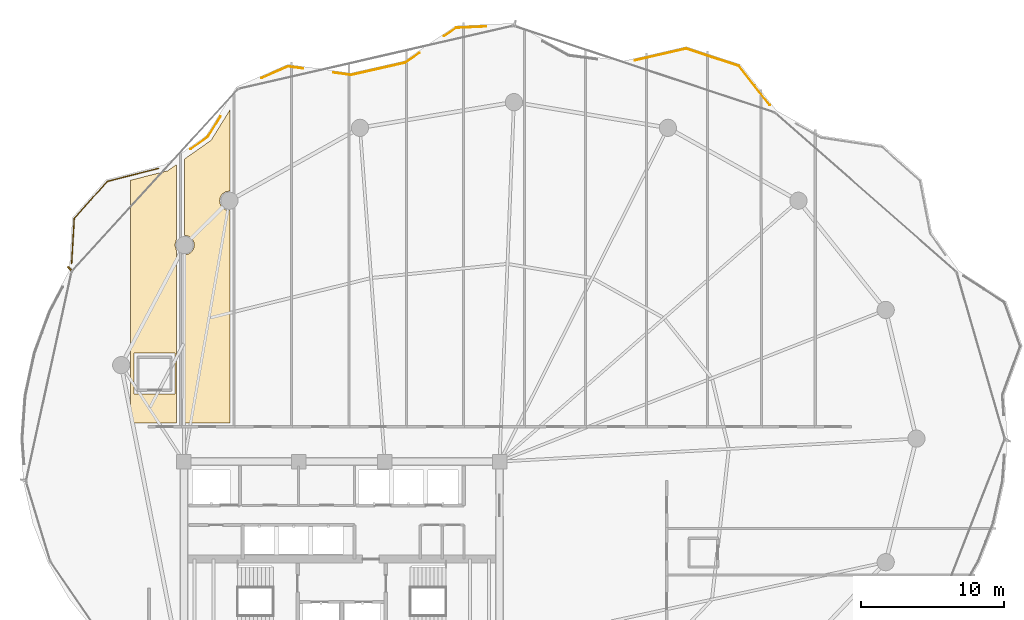
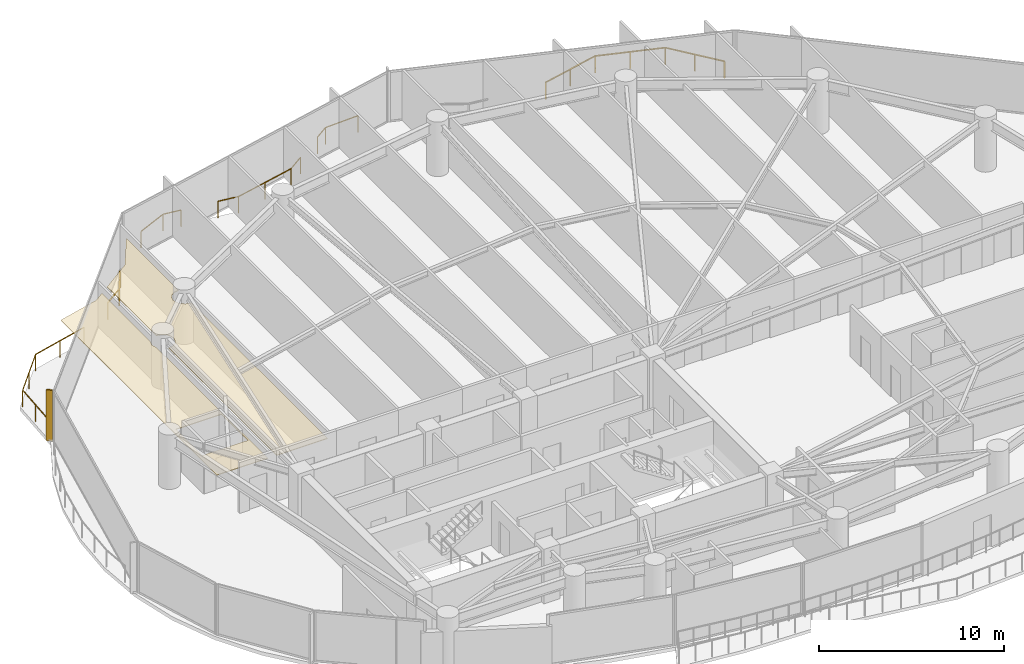
# One storey, part 33 of 34: 6 railings, 2 coverings, 1 shading device.
"""IFC4 building model written with IfcOpenShell, lengths in metres."""

from ifc_helpers import new_model, si_unit, direction, frame, origin, origin_2d, place, context, subcontext, project, spatial, polyline, rectangle, outline, extrude, material, layer, layer_set, type_object, element, save


model = new_model("IFC4")

# Units and contexts
model_context = context("Model", 3, precision=1e-05, world=origin(), true_north=direction((0.0, 1.0)))
body_context = subcontext(model_context, "Body", "Model", "MODEL_VIEW")
ifc_project = project(units=[si_unit("LENGTHUNIT", "METRE"), si_unit("AREAUNIT", "SQUARE_METRE"), si_unit("VOLUMEUNIT", "CUBIC_METRE"), si_unit("PLANEANGLEUNIT", "RADIAN"), si_unit("MASSUNIT", "GRAM", prefix="KILO")], contexts=[model_context])

# Site, building, storey
site_placement = place(None, origin())
site = spatial("IfcSite", under=ifc_project, at=site_placement, CompositionType="ELEMENT")
building_placement = place(site_placement, origin())
building = spatial("IfcBuilding", under=site, at=building_placement, Name="Kazevale Care Tower and Concert Hall", CompositionType="ELEMENT")
storey_placement = place(building_placement, frame((0.0, 0.0, 163.800048828125)))
storey = spatial("IfcBuildingStorey", under=building, at=storey_placement, Name="L43", CompositionType="ELEMENT", Elevation=163.800048828125)

# Coverings
ifc_material_1 = material(Name="Acoustic Plaster and Hinoki Wood", Category="wood")
ifc_layer = layer(ifc_material_1, 0.0400390625)
ifc_layer_set = layer_set([ifc_layer], Name="Acoustic Plaster and Hinoki Wood")
covering_type = type_object("IfcCoveringType", Name="Acoustic Perforated Wood-Gypsum Ceiling", PredefinedType="CEILING", material=ifc_layer_set)
covering_1_placement = place(storey_placement, frame((0.0, 0.0, 2.7099609375)))
element("IfcCovering", 1, at=covering_1_placement, inside=storey, type_object=covering_type, Name="clg:L43:1", PredefinedType="CEILING", context=body_context, shape_type="SweptSolid", body=[
    extrude(outline(polyline([(21.469970703125, 51.840087890625), (21.3701171875, 51.489990234375), (21.469970703125, 51.139892578125), (21.469970703125, 39.10498046875), (18.280029296875, 39.10498046875), (18.280029296875, 56.008056640625), (20.87109375, 56.6669921875), (21.469970703125, 57.0869140625), (21.469970703125, 51.840087890625)]), holes=[polyline([(18.52001953125, 41.094970703125), (21.3798828125, 41.094970703125), (21.3798828125, 43.955078125), (18.52001953125, 43.955078125), (18.52001953125, 41.094970703125)])]), origin(), (0.0, 0.0, 1.0), 0.0400390625),
])
covering_2_placement = place(storey_placement, frame((0.0, 0.0, 2.7099609375)))
element("IfcCovering", 2, at=covering_2_placement, inside=storey, type_object=covering_type, Name="clg:L43:2", PredefinedType="CEILING", context=body_context, shape_type="SweptSolid", body=[
    extrude(outline(polyline([(22.030029296875, 50.81201171875), (22.31005859375, 50.862060546875), (22.531005859375, 51.009033203125), (22.677978515625, 51.22998046875), (22.72998046875, 51.489990234375), (22.677978515625, 51.75), (22.531005859375, 51.970947265625), (22.31005859375, 52.117919921875), (22.030029296875, 52.16796875), (22.030029296875, 57.47998046875), (23.89306640625, 58.787109375), (25.219970703125, 60.927978515625), (25.219970703125, 55.2548828125), (24.909912109375, 55.2080078125), (24.68896484375, 55.06103515625), (24.5419921875, 54.840087890625), (24.489990234375, 54.580078125), (24.5419921875, 54.320068359375), (24.68896484375, 54.09912109375), (24.909912109375, 53.951904296875), (25.219970703125, 53.905029296875), (25.219970703125, 39.10498046875), (22.030029296875, 39.10498046875), (22.030029296875, 50.81201171875)])), origin(), (0.0, 0.0, 1.0), 0.0400390625),
])

# Railings
ifc_material_2 = material(Name="Anodised Bronze Aluminium and Laminated Glass", Category="aluminium")
railing_type = type_object("IfcRailingType", Name="Balcony and Terrace Balustrade 1120", PredefinedType="BALUSTRADE", material=ifc_material_2)
railing_1_placement = place(storey_placement, frame((14.176025390625, 50.219970703125, 0.0)))
element("IfcRailing", 3, at=railing_1_placement, inside=storey, type_object=railing_type, Name="rail:L43:perim:2", PredefinedType="BALUSTRADE", context=body_context, shape_type="SweptSolid", body=[
    extrude(rectangle(XDim=0.048095703125, YDim=0.048095703125, at=origin_2d()), frame((0.0, 0.0, 1.09619140625), z_axis=(0.058397513537, 0.99829340898, 0.0), x_axis=(-0.99829340898, 0.058397513537, 0.0)), (0.0, 0.0, 1.0), 3.13134765625),
    extrude(rectangle(XDim=0.048095703125, YDim=0.048095703125, at=origin_2d()), frame((0.182861328125, 3.1259765625, 1.09619140625), z_axis=(0.665105006429, 0.746749844608, 0.0), x_axis=(-0.746749844608, 0.665105006429, 0.0)), (0.0, 0.0, 1.0), 3.453857421875),
    extrude(rectangle(XDim=0.048095703125, YDim=0.048095703125, at=origin_2d()), frame((2.47998046875, 5.705078125, 1.09619140625), z_axis=(0.969135648028, 0.246528083029, 0.0), x_axis=(-0.246528083029, 0.969135648028, 0.0)), (0.0, 0.0, 1.0), 3.667236328125),
    extrude(rectangle(XDim=0.0419921875, YDim=0.0419921875, at=origin_2d()), origin(), (0.0, 0.0, 1.0), 1.072021484375),
    extrude(rectangle(XDim=0.0419921875, YDim=0.0419921875, at=origin_2d()), frame((0.09130859375, 1.56298828125, 0.0)), (0.0, 0.0, 1.0), 1.072021484375),
    extrude(rectangle(XDim=0.0419921875, YDim=0.0419921875, at=origin_2d()), frame((0.182861328125, 3.1259765625, 0.0)), (0.0, 0.0, 1.0), 1.072021484375),
    extrude(rectangle(XDim=0.0419921875, YDim=0.0419921875, at=origin_2d()), frame((1.33154296875, 4.41552734375, 0.0)), (0.0, 0.0, 1.0), 1.072021484375),
    extrude(rectangle(XDim=0.0419921875, YDim=0.0419921875, at=origin_2d()), frame((2.47998046875, 5.705078125, 0.0)), (0.0, 0.0, 1.0), 1.072021484375),
    extrude(rectangle(XDim=0.0419921875, YDim=0.0419921875, at=origin_2d()), frame((4.2568359375, 6.1572265625, 0.0)), (0.0, 0.0, 1.0), 1.072021484375),
    extrude(rectangle(XDim=0.0419921875, YDim=0.0419921875, at=origin_2d()), frame((6.033935546875, 6.609130859375, 0.0)), (0.0, 0.0, 1.0), 1.072021484375),
])
railing_2_placement = place(storey_placement, frame((22.47705078125, 58.18505859375, 0.0)))
element("IfcRailing", 4, at=railing_2_placement, inside=storey, type_object=railing_type, Name="rail:L43:perim:3", PredefinedType="BALUSTRADE", context=body_context, shape_type="SweptSolid", body=[
    extrude(rectangle(XDim=0.048095703125, YDim=0.048095703125, at=origin_2d()), frame((0.0, 0.0, 1.09619140625), z_axis=(0.819016727855, 0.573769639746, 0.0), x_axis=(-0.573769639746, 0.819016727855, 0.0)), (0.0, 0.0, 1.0), 1.439453125),
    extrude(rectangle(XDim=0.048095703125, YDim=0.048095703125, at=origin_2d()), frame((1.178955078125, 0.825927734375, 1.09619140625), z_axis=(0.526547441963, 0.85014574713, 0.0), x_axis=(-0.85014574713, 0.526547441963, 0.0)), (0.0, 0.0, 1.0), 1.69970703125),
    extrude(rectangle(XDim=0.0419921875, YDim=0.0419921875, at=origin_2d()), origin(), (0.0, 0.0, 1.0), 1.072021484375),
    extrude(rectangle(XDim=0.0419921875, YDim=0.0419921875, at=origin_2d()), frame((1.178955078125, 0.825927734375, 0.0)), (0.0, 0.0, 1.0), 1.072021484375),
    extrude(rectangle(XDim=0.0419921875, YDim=0.0419921875, at=origin_2d()), frame((2.073974609375, 2.27099609375, 0.0)), (0.0, 0.0, 1.0), 1.072021484375),
])
railing_3_placement = place(storey_placement, frame((27.425048828125, 63.135986328125, 0.0)))
element("IfcRailing", 5, at=railing_3_placement, inside=storey, type_object=railing_type, Name="rail:L43:perim:4", PredefinedType="BALUSTRADE", context=body_context, shape_type="SweptSolid", body=[
    extrude(rectangle(XDim=0.048095703125, YDim=0.048095703125, at=origin_2d()), frame((0.0, 0.0, 1.09619140625), z_axis=(0.915235534084, 0.402919243957, 0.0), x_axis=(-0.402919243957, 0.915235534084, 0.0)), (0.0, 0.0, 1.0), 1.992919921875),
    extrude(rectangle(XDim=0.048095703125, YDim=0.048095703125, at=origin_2d()), frame((1.823974609375, 0.802978515625, 1.09619140625), z_axis=(0.990895759246, -0.134631327363, 0.0), x_axis=(0.134631327363, 0.990895759246, 0.0)), (0.0, 0.0, 1.0), 1.062744140625),
    extrude(rectangle(XDim=0.0419921875, YDim=0.0419921875, at=origin_2d()), origin(), (0.0, 0.0, 1.0), 1.072021484375),
    extrude(rectangle(XDim=0.0419921875, YDim=0.0419921875, at=origin_2d()), frame((1.823974609375, 0.802978515625, 0.0)), (0.0, 0.0, 1.0), 1.072021484375),
    extrude(rectangle(XDim=0.0419921875, YDim=0.0419921875, at=origin_2d()), frame((2.876953125, 0.659912109375, 0.0)), (0.0, 0.0, 1.0), 1.072021484375),
])
railing_4_placement = place(storey_placement, frame((32.43798828125, 63.506103515625, 0.0)))
element("IfcRailing", 6, at=railing_4_placement, inside=storey, type_object=railing_type, Name="rail:L43:perim:5", PredefinedType="BALUSTRADE", context=body_context, shape_type="SweptSolid", body=[
    extrude(rectangle(XDim=0.048095703125, YDim=0.048095703125, at=origin_2d()), frame((0.0, 0.0, 1.09619140625), z_axis=(0.990995305993, -0.133896614968, 0.0), x_axis=(0.133896614968, 0.990995305993, 0.0)), (0.0, 0.0, 1.0), 1.218017578125),
    extrude(rectangle(XDim=0.048095703125, YDim=0.048095703125, at=origin_2d()), frame((1.20703125, -0.1630859375, 1.09619140625), z_axis=(0.975412879339, 0.220385377962, 0.0), x_axis=(-0.220385377962, 0.975412879339, 0.0)), (0.0, 0.0, 1.0), 3.851806640625),
    extrude(rectangle(XDim=0.048095703125, YDim=0.048095703125, at=origin_2d()), frame((4.964111328125, 0.685791015625, 1.09619140625), z_axis=(0.826107848451, 0.563512043108, 0.0), x_axis=(-0.563512043108, 0.826107848451, 0.0)), (0.0, 0.0, 1.0), 1.21044921875),
    extrude(rectangle(XDim=0.0419921875, YDim=0.0419921875, at=origin_2d()), origin(), (0.0, 0.0, 1.0), 1.072021484375),
    extrude(rectangle(XDim=0.0419921875, YDim=0.0419921875, at=origin_2d()), frame((1.20703125, -0.1630859375, 0.0)), (0.0, 0.0, 1.0), 1.072021484375),
    extrude(rectangle(XDim=0.0419921875, YDim=0.0419921875, at=origin_2d()), frame((3.08544921875, 0.26123046875, 0.0)), (0.0, 0.0, 1.0), 1.072021484375),
    extrude(rectangle(XDim=0.0419921875, YDim=0.0419921875, at=origin_2d()), frame((4.964111328125, 0.685791015625, 0.0)), (0.0, 0.0, 1.0), 1.072021484375),
    extrude(rectangle(XDim=0.0419921875, YDim=0.0419921875, at=origin_2d()), frame((5.964111328125, 1.367919921875, 0.0)), (0.0, 0.0, 1.0), 1.072021484375),
])
railing_5_placement = place(storey_placement, frame((40.125, 66.049072265625, 0.0)))
element("IfcRailing", 7, at=railing_5_placement, inside=storey, type_object=railing_type, Name="rail:L43:perim:6", PredefinedType="BALUSTRADE", context=body_context, shape_type="SweptSolid", body=[
    extrude(rectangle(XDim=0.048095703125, YDim=0.048095703125, at=origin_2d()), frame((0.0, 0.0, 1.09619140625), z_axis=(0.825986647337, 0.563689682735, 0.0), x_axis=(-0.563689682735, 0.825986647337, 0.0)), (0.0, 0.0, 1.0), 1.0302734375),
    extrude(rectangle(XDim=0.048095703125, YDim=0.048095703125, at=origin_2d()), frame((0.85107421875, 0.580810546875, 1.09619140625), z_axis=(0.999008153593, 0.044527621259, 0.0), x_axis=(-0.044527621259, 0.999008153593, 0.0)), (0.0, 0.0, 1.0), 2.0888671875),
    extrude(rectangle(XDim=0.0419921875, YDim=0.0419921875, at=origin_2d()), origin(), (0.0, 0.0, 1.0), 1.072021484375),
    extrude(rectangle(XDim=0.0419921875, YDim=0.0419921875, at=origin_2d()), frame((0.85107421875, 0.580810546875, 0.0)), (0.0, 0.0, 1.0), 1.072021484375),
    extrude(rectangle(XDim=0.0419921875, YDim=0.0419921875, at=origin_2d()), frame((2.93798828125, 0.673828125, 0.0)), (0.0, 0.0, 1.0), 1.072021484375),
])
railing_6_placement = place(storey_placement, frame((53.429931640625, 64.35791015625, 0.0)))
element("IfcRailing", 8, at=railing_6_placement, inside=storey, type_object=railing_type, Name="rail:L43:perim:8", PredefinedType="BALUSTRADE", context=body_context, shape_type="SweptSolid", body=[
    extrude(rectangle(XDim=0.048095703125, YDim=0.048095703125, at=origin_2d()), frame((0.0, 0.0, 1.09619140625), z_axis=(0.974487723827, 0.224440807588, 0.0), x_axis=(-0.224440807588, 0.974487723827, 0.0)), (0.0, 0.0, 1.0), 3.66259765625),
    extrude(rectangle(XDim=0.048095703125, YDim=0.048095703125, at=origin_2d()), frame((3.569091796875, 0.822021484375, 1.09619140625), z_axis=(0.949652960746, -0.313303772953, 0.0), x_axis=(0.313303772953, 0.949652960746, 0.0)), (0.0, 0.0, 1.0), 3.884521484375),
    extrude(rectangle(XDim=0.048095703125, YDim=0.048095703125, at=origin_2d()), frame((7.258056640625, -0.39501953125, 1.09619140625), z_axis=(0.617693820362, -0.786418682564, 0.0), x_axis=(0.786418682564, 0.617693820362, 0.0)), (0.0, 0.0, 1.0), 3.461181640625),
    extrude(rectangle(XDim=0.0419921875, YDim=0.0419921875, at=origin_2d()), origin(), (0.0, 0.0, 1.0), 1.072021484375),
    extrude(rectangle(XDim=0.0419921875, YDim=0.0419921875, at=origin_2d()), frame((1.78466796875, 0.4111328125, 0.0)), (0.0, 0.0, 1.0), 1.072021484375),
    extrude(rectangle(XDim=0.0419921875, YDim=0.0419921875, at=origin_2d()), frame((3.569091796875, 0.822021484375, 0.0)), (0.0, 0.0, 1.0), 1.072021484375),
    extrude(rectangle(XDim=0.0419921875, YDim=0.0419921875, at=origin_2d()), frame((5.41357421875, 0.21337890625, 0.0)), (0.0, 0.0, 1.0), 1.072021484375),
    extrude(rectangle(XDim=0.0419921875, YDim=0.0419921875, at=origin_2d()), frame((7.258056640625, -0.39501953125, 0.0)), (0.0, 0.0, 1.0), 1.072021484375),
    extrude(rectangle(XDim=0.0419921875, YDim=0.0419921875, at=origin_2d()), frame((8.3271484375, -1.755859375, 0.0)), (0.0, 0.0, 1.0), 1.072021484375),
    extrude(rectangle(XDim=0.0419921875, YDim=0.0419921875, at=origin_2d()), frame((9.39599609375, -3.116943359375, 0.0)), (0.0, 0.0, 1.0), 1.072021484375),
])

# Shading device
ifc_material_3 = material(Name="Anodised Bronze Aluminium", Category="aluminium")
shading_device_type = type_object("IfcShadingDeviceType", Name="Waist Anodised Bronze-Stone Fin FIN-02", PredefinedType="USERDEFINED", material=ifc_material_3)
shading_device_placement = place(storey_placement, frame((14.02197265625, 49.8671875, 0.0), z_axis=(0.0, 0.0, 1.0), x_axis=(-0.738455340626, 0.674302387584, 0.0)))
element("IfcShadingDevice", 9, at=shading_device_placement, inside=storey, type_object=shading_device_type, Name="cw:L43:f14:fin", ObjectType="FIN", PredefinedType="USERDEFINED", context=body_context, shape_type="SweptSolid", body=[
    extrude(rectangle(XDim=0.340087890625, YDim=0.10009765625, at=origin_2d()), origin(), (0.0, 0.0, 1.0), 3.360107421875),
])

save(model, "model.ifc")
